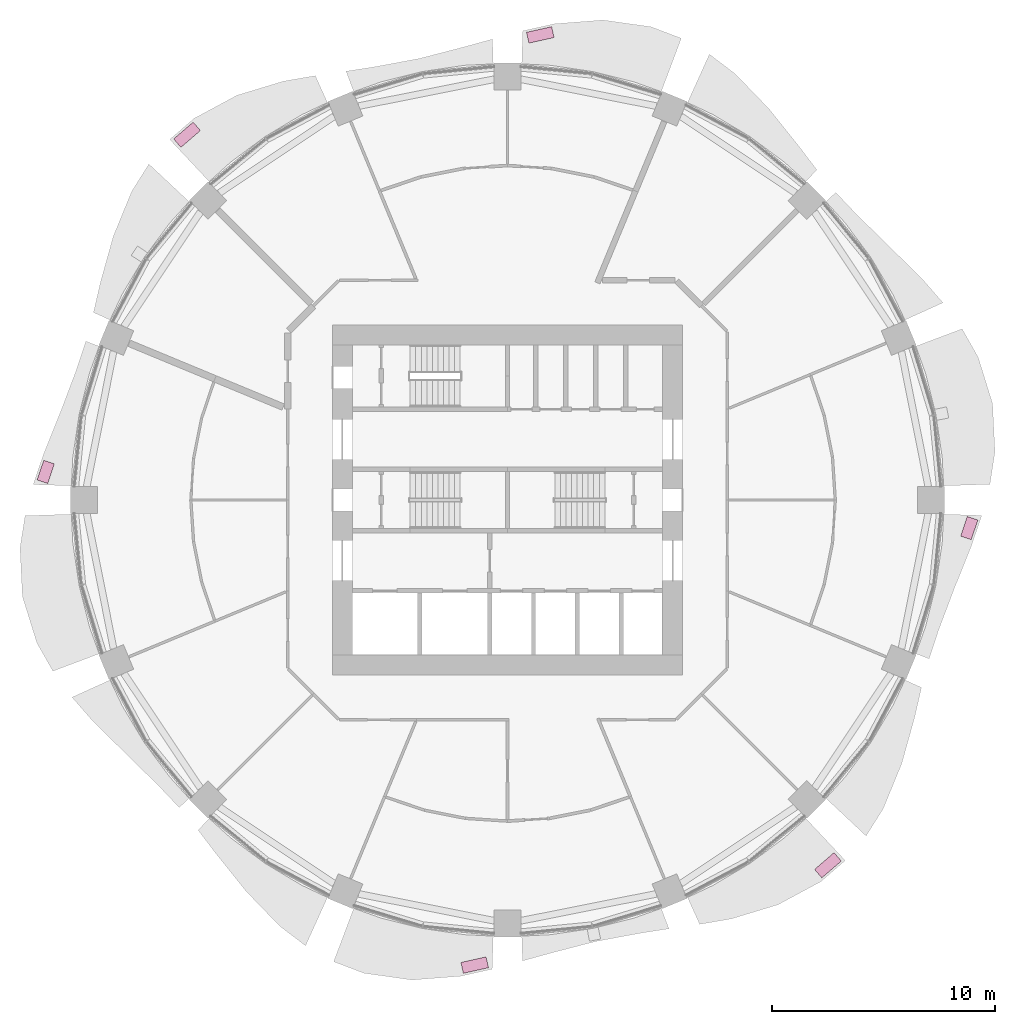
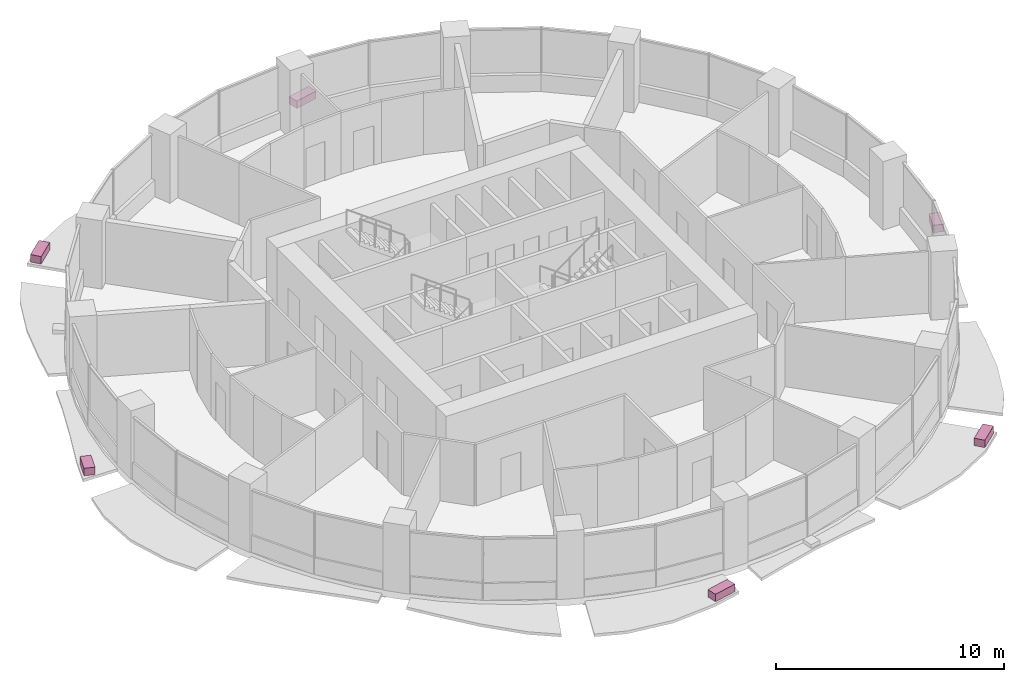
# One storey, part 15 of 15: 6 furniture elements.
"""IFC4 building model written with IfcOpenShell, lengths in metres."""

from ifc_helpers import new_model, si_unit, direction, frame, origin, origin_2d, place, context, subcontext, project, spatial, rectangle, extrude, material, type_object, element, save


model = new_model("IFC4")

# Units and contexts
model_context = context("Model", 3, precision=1e-05, world=origin(), true_north=direction((0.0, 1.0)))
body_context = subcontext(model_context, "Body", "Model", "MODEL_VIEW")
ifc_project = project(units=[si_unit("LENGTHUNIT", "METRE"), si_unit("AREAUNIT", "SQUARE_METRE"), si_unit("VOLUMEUNIT", "CUBIC_METRE"), si_unit("PLANEANGLEUNIT", "RADIAN"), si_unit("MASSUNIT", "GRAM", prefix="KILO")], contexts=[model_context])

# Site, building, storey
site_placement = place(None, origin())
site = spatial("IfcSite", under=ifc_project, at=site_placement, CompositionType="ELEMENT")
building_placement = place(site_placement, origin())
building = spatial("IfcBuilding", under=site, at=building_placement, Name="Polderwave Tower", CompositionType="ELEMENT")
storey_placement = place(building_placement, frame((0.0, 0.0, 55.39990234375)))
storey = spatial("IfcBuildingStorey", under=building, at=storey_placement, Name="L14", CompositionType="ELEMENT", Elevation=55.39990234375)

# Furniture
ifc_material = material(Name="Terracotta", Category="masonry")
furniture_type = type_object("IfcFurnitureType", Name="Terracotta planting trough", AssemblyPlace="NOTDEFINED", PredefinedType="USERDEFINED", material=ifc_material)
furniture_1_placement = place(storey_placement, frame((1.4736328125, 20.900634765625, -0.199951171875), z_axis=(0.0, 0.0, 1.0), x_axis=(-0.975803171875, -0.218650794098, 0.0)))
element("IfcFurniture", 1, at=furniture_1_placement, inside=storey, type_object=furniture_type, Name="Planting trough L14 4", ObjectType="PLANTER", PredefinedType="USERDEFINED", context=body_context, shape_type="SweptSolid", body=[
    extrude(rectangle(XDim=1.15673828125, YDim=0.5, at=origin_2d()), origin(), (0.0, 0.0, 1.0), 0.39990234375),
])
furniture_2_placement = place(storey_placement, frame((-14.400390625, 16.413330078125, -0.199951171875), z_axis=(0.0, 0.0, 1.0), x_axis=(-0.756728130949, -0.653729711601, 0.0)))
element("IfcFurniture", 2, at=furniture_2_placement, inside=storey, type_object=furniture_type, Name="Planting trough L14 6", ObjectType="PLANTER", PredefinedType="USERDEFINED", context=body_context, shape_type="SweptSolid", body=[
    extrude(rectangle(XDim=1.156494140625, YDim=0.5, at=origin_2d()), origin(), (0.0, 0.0, 1.0), 0.39990234375),
])
furniture_3_placement = place(storey_placement, frame((-20.751708984375, 1.26220703125, -0.199951171875), z_axis=(0.0, 0.0, 1.0), x_axis=(-0.319500170235, -0.947586218357, 0.0)))
element("IfcFurniture", 3, at=furniture_3_placement, inside=storey, type_object=furniture_type, Name="Planting trough L14 8", ObjectType="PLANTER", PredefinedType="USERDEFINED", context=body_context, shape_type="SweptSolid", body=[
    extrude(rectangle(XDim=0.935302734375, YDim=0.5, at=origin_2d()), origin(), (0.0, 0.0, 1.0), 0.39990234375),
])
furniture_4_placement = place(storey_placement, frame((-1.4736328125, -20.900634765625, -0.199951171875), z_axis=(0.0, 0.0, 1.0), x_axis=(0.975803171875, 0.218650794098, 0.0)))
element("IfcFurniture", 4, at=furniture_4_placement, inside=storey, type_object=furniture_type, Name="Planting trough L14 12", ObjectType="PLANTER", PredefinedType="USERDEFINED", context=body_context, shape_type="SweptSolid", body=[
    extrude(rectangle(XDim=1.15673828125, YDim=0.5, at=origin_2d()), origin(), (0.0, 0.0, 1.0), 0.39990234375),
])
furniture_5_placement = place(storey_placement, frame((14.400390625, -16.413330078125, -0.199951171875), z_axis=(0.0, 0.0, 1.0), x_axis=(0.756728130949, 0.653729711601, 0.0)))
element("IfcFurniture", 5, at=furniture_5_placement, inside=storey, type_object=furniture_type, Name="Planting trough L14 14", ObjectType="PLANTER", PredefinedType="USERDEFINED", context=body_context, shape_type="SweptSolid", body=[
    extrude(rectangle(XDim=1.156494140625, YDim=0.5, at=origin_2d()), origin(), (0.0, 0.0, 1.0), 0.39990234375),
])
furniture_6_placement = place(storey_placement, frame((20.751708984375, -1.26220703125, -0.199951171875), z_axis=(0.0, 0.0, 1.0), x_axis=(0.319500170235, 0.947586218357, 0.0)))
element("IfcFurniture", 6, at=furniture_6_placement, inside=storey, type_object=furniture_type, Name="Planting trough L14 16", ObjectType="PLANTER", PredefinedType="USERDEFINED", context=body_context, shape_type="SweptSolid", body=[
    extrude(rectangle(XDim=0.935302734375, YDim=0.5, at=origin_2d()), origin(), (0.0, 0.0, 1.0), 0.39990234375),
])

save(model, "model.ifc")
